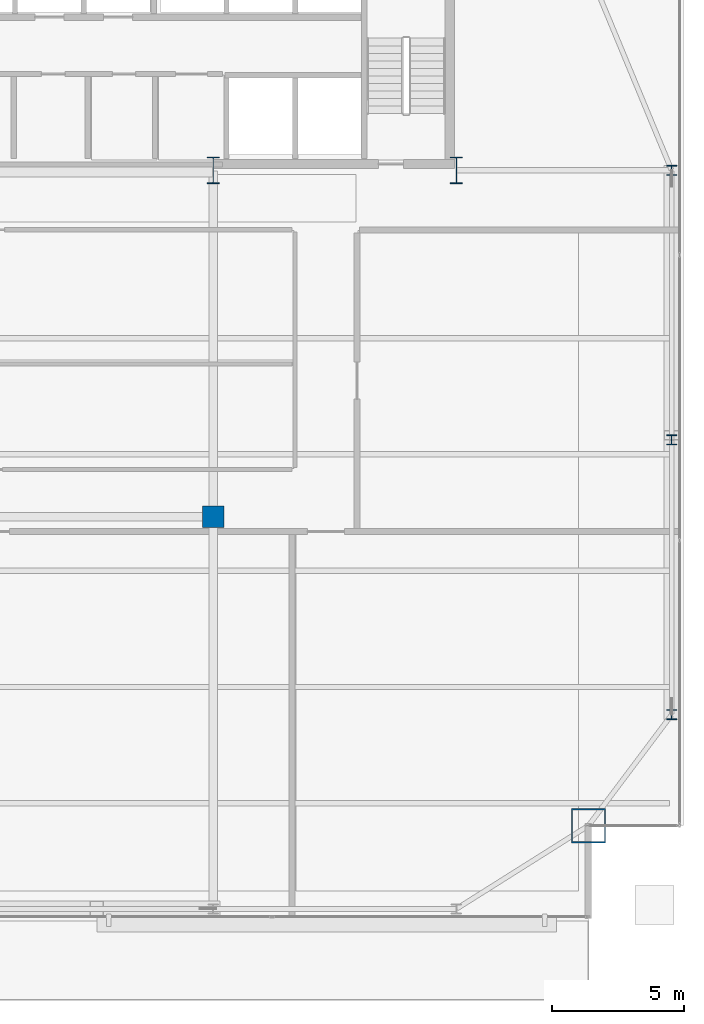
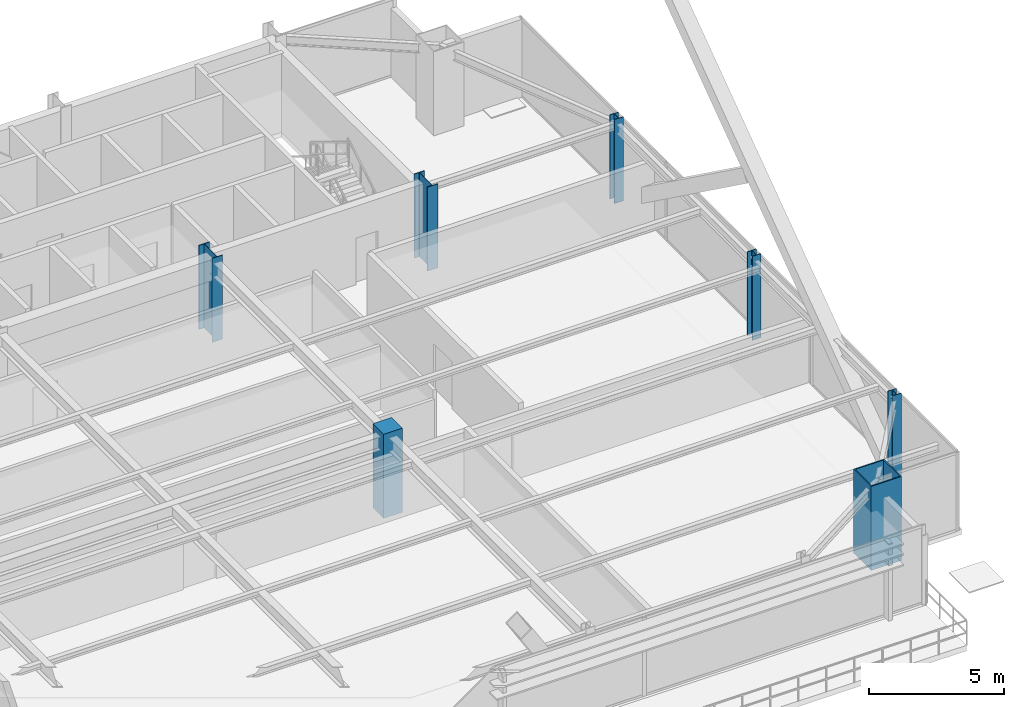
# One storey, part 2 of 33: 7 columns.
"""IFC4 building model written with IfcOpenShell, lengths in metres."""

import ifcopenshell
import ifcopenshell.guid

model = None  # the IFC model being written
_history = None  # IfcOwnerHistory: only IFC2X3 demands one
_inside = {}  # id of a spatial element -> (the spatial element, [elements in it])
_under = {}  # id of a project, library or spatial element -> (it, [spatial elements below it])
_declared = {}  # id of a project -> (the project, [libraries it declares])
_typed = {}  # id of a type object -> (the type object, [elements of that type])
_made_of = {}  # id of a material, layer set ... -> (it, [elements and type objects made of it])


def new_model(schema):
    """Start an empty IFC model of exactly this schema.

    Asked for "IFC4X3", IfcOpenShell would pick the latest addendum, in which some entities
    have other attributes; the version numbers below select the first issue.
    IFC2X3 requires an IfcOwnerHistory on every rooted entity: one is made here for all.
    """
    global model, _history
    if schema == "IFC4X3":
        model = ifcopenshell.file(schema_version=(4, 3, 0, 0))
    else:
        model = ifcopenshell.file(schema=schema)
    _inside.clear()
    _under.clear()
    _declared.clear()
    _typed.clear()
    _made_of.clear()
    _history = None
    if model.schema == "IFC2X3":
        org = make("IfcOrganization", Name="unknown")
        user = make(
            "IfcPersonAndOrganization",
            ThePerson=make("IfcPerson", FamilyName="unknown"),
            TheOrganization=org,
        )
        app = make(
            "IfcApplication",
            ApplicationDeveloper=org,
            Version="unknown",
            ApplicationFullName="unknown",
            ApplicationIdentifier="unknown",
        )
        _history = make(
            "IfcOwnerHistory",
            OwningUser=user,
            OwningApplication=app,
            ChangeAction="ADDED",
            CreationDate=0,
        )
    return model


def make(cls, **values):
    """One entity of the class cls with the attributes given. An attribute that is None is left unset."""
    return model.create_entity(
        cls, **{name: value for name, value in values.items() if value is not None}
    )


def rooted(cls, **values):
    """An entity with a GlobalId (a new one), such as an element, a storey or a relation."""
    return make(cls, GlobalId=ifcopenshell.guid.new(), OwnerHistory=_history, **values)


def si_unit(unit_type, name, prefix=None):
    """IfcSIUnit, for example si_unit("LENGTHUNIT", "METRE", prefix="MILLI")."""
    return make("IfcSIUnit", UnitType=unit_type, Prefix=prefix, Name=name)


def assignment(units):
    """IfcUnitAssignment: the units of a project."""
    return None if units is None else make("IfcUnitAssignment", Units=units)


def point(xyz):
    """IfcCartesianPoint."""
    return None if xyz is None else make("IfcCartesianPoint", Coordinates=xyz)


def direction(xyz):
    """IfcDirection."""
    return None if xyz is None else make("IfcDirection", DirectionRatios=xyz)


def frame(location, z_axis=None, x_axis=None):
    """IfcAxis2Placement3D, a coordinate frame: its origin and axes. An axis left out is left unset."""
    return make(
        "IfcAxis2Placement3D",
        Location=point(location),
        Axis=direction(z_axis),
        RefDirection=direction(x_axis),
    )


def frame_2d(location, x_axis=None):
    """IfcAxis2Placement2D, a coordinate frame in the plane: its origin and x axis."""
    return make(
        "IfcAxis2Placement2D", Location=point(location), RefDirection=direction(x_axis)
    )


def origin():
    """The frame at (0, 0, 0) with its axes left unset."""
    return frame((0.0, 0.0, 0.0))


def origin_2d():
    """The frame at (0, 0) in the plane with its x axis left unset."""
    return frame_2d((0.0, 0.0))


def place(relative_to, where):
    """IfcLocalPlacement: puts the frame where relative to a parent placement (None: the world)."""
    return make(
        "IfcLocalPlacement", PlacementRelTo=relative_to, RelativePlacement=where
    )


def context(
    kind, dimensions, precision=None, world=None, true_north=None, identifier=None
):
    """IfcGeometricRepresentationContext, for example the 3D "Model" context."""
    return make(
        "IfcGeometricRepresentationContext",
        ContextIdentifier=identifier,
        ContextType=kind,
        CoordinateSpaceDimension=dimensions,
        Precision=precision,
        WorldCoordinateSystem=world,
        TrueNorth=true_north,
    )


def subcontext(parent, identifier, kind, view, scale=None):
    """IfcGeometricRepresentationSubContext, for example "Body" below "Model"."""
    return make(
        "IfcGeometricRepresentationSubContext",
        ContextIdentifier=identifier,
        ContextType=kind,
        ParentContext=parent,
        TargetScale=scale,
        TargetView=view,
    )


def project(units=None, contexts=None):
    """IfcProject with its units and contexts."""
    return rooted(
        "IfcProject",
        Name="project",
        RepresentationContexts=contexts,
        UnitsInContext=assignment(units),
    )


def spatial(cls, under=None, at=None, **own):
    """A site, building, storey or space (cls), placed at a placement, below another one or the project."""
    s = rooted(cls, ObjectPlacement=at, **own)
    if under is not None:
        _under.setdefault(under.id(), (under, []))[1].append(s)
    return s


def profile(cls, at=None, kind="AREA", **sizes):
    """A parametric profile (cls). Its sizes go by their IFC names, for example OverallWidth=200.0."""
    return make(cls, ProfileType=kind, Position=at, **sizes)


def rectangle(**sizes):
    """IfcRectangleProfileDef."""
    return profile("IfcRectangleProfileDef", **sizes)


def hollow_rectangle(**sizes):
    """IfcRectangleHollowProfileDef."""
    return profile("IfcRectangleHollowProfileDef", **sizes)


def i_section(**sizes):
    """IfcIShapeProfileDef."""
    return profile("IfcIShapeProfileDef", **sizes)


def extrude(swept, where, along, depth):
    """IfcExtrudedAreaSolid: the profile swept, set in the frame where, extruded along a direction by depth."""
    return make(
        "IfcExtrudedAreaSolid",
        SweptArea=swept,
        Position=where,
        ExtrudedDirection=direction(along),
        Depth=depth,
    )


def shape(context_of_items, identifier, shape_type, items):
    """IfcShapeRepresentation: the items that make up one representation, for example the "Body"."""
    return make(
        "IfcShapeRepresentation",
        ContextOfItems=context_of_items,
        RepresentationIdentifier=identifier,
        RepresentationType=shape_type,
        Items=items,
    )


def source(mapping_origin, context_of_items, identifier, shape_type, items):
    """IfcRepresentationMap: a shape defined once, which mapped items show again and again."""
    return make(
        "IfcRepresentationMap",
        MappingOrigin=mapping_origin,
        MappedRepresentation=shape(context_of_items, identifier, shape_type, items),
    )


def transform(
    local_origin,
    x_axis=None,
    y_axis=None,
    z_axis=None,
    scale=None,
    scale2=None,
    scale3=None,
    uniform=True,
):
    """IfcCartesianTransformationOperator3D, or its non-uniform kind. x_axis, y_axis, z_axis: its Axis1, 2, 3."""
    if uniform:
        return make(
            "IfcCartesianTransformationOperator3D",
            Axis1=direction(x_axis),
            Axis2=direction(y_axis),
            LocalOrigin=point(local_origin),
            Scale=scale,
            Axis3=direction(z_axis),
        )
    return make(
        "IfcCartesianTransformationOperator3DnonUniform",
        Axis1=direction(x_axis),
        Axis2=direction(y_axis),
        LocalOrigin=point(local_origin),
        Scale=scale,
        Axis3=direction(z_axis),
        Scale2=scale2,
        Scale3=scale3,
    )


def mapped(mapping_source, mapping_target):
    """IfcMappedItem: shows the shape of a source again, moved by a transform."""
    return make(
        "IfcMappedItem", MappingSource=mapping_source, MappingTarget=mapping_target
    )


def material(Name=None, Category=None):
    """IfcMaterial."""
    return make("IfcMaterial", Name=Name, Category=Category)


def material_profile(
    of_material, cross_section, Name=None, Category=None, Priority=None
):
    """IfcMaterialProfile: a cross section and its material."""
    return make(
        "IfcMaterialProfile",
        Name=Name,
        Material=of_material,
        Profile=cross_section,
        Priority=Priority,
        Category=Category,
    )


def profile_set(profiles, Name=None, composite=None):
    """IfcMaterialProfileSet."""
    return make(
        "IfcMaterialProfileSet",
        Name=Name,
        MaterialProfiles=profiles,
        CompositeProfile=composite,
    )


def made_of(thing, what):
    """Note that an element or type object is made of a material, layer set ...; save() writes the relation."""
    if what is not None:
        _made_of.setdefault(what.id(), (what, []))[1].append(thing)
    return thing


def type_object(cls, material=None, **own):
    """A type object (cls), such as IfcWallType, which elements share."""
    return made_of(rooted(cls, **own), material)


def type_shapes(of_type, sources):
    """Give a type object the sources (RepresentationMaps) that its elements show as mapped items."""
    of_type.RepresentationMaps = sources


def element(
    cls,
    number,
    at=None,
    inside=None,
    cuts=None,
    type_object=None,
    material=None,
    context=None,
    identifier="Body",
    shape_type=None,
    held_by="IfcProductDefinitionShape",
    body=None,
    shapes=None,
    **own,
):
    """One element of the class cls, such as IfcWall. Its Tag is "e" and its number.

    at: its placement. inside: the storey or other place that contains it. cuts: it is an
    opening in that element (IfcRelVoidsElement). A single representation is given by context,
    identifier, shape_type and body (its items); several are given by shapes. held_by: the class
    of the entity that holds the representations. save() writes the other relations.
    """
    e = rooted(cls, Tag="e%d" % number, ObjectPlacement=at, **own)
    if body is not None:
        shapes = [shape(context, identifier, shape_type, body)]
    if shapes is not None:
        e.Representation = make(held_by, Representations=shapes)
    if inside is not None:
        _inside.setdefault(inside.id(), (inside, []))[1].append(e)
    if cuts is not None:
        rooted(
            "IfcRelVoidsElement", RelatingBuildingElement=cuts, RelatedOpeningElement=e
        )
    if type_object is not None:
        _typed.setdefault(type_object.id(), (type_object, []))[1].append(e)
    return made_of(e, material)


def aggregate(whole, parts):
    """IfcRelAggregates: a whole, such as a stair, and the parts it consists of."""
    return rooted("IfcRelAggregates", RelatingObject=whole, RelatedObjects=parts)


def save(model, path):
    """Write the relations noted so far, then the file.

    IfcRelAggregates (storeys below a building ...), IfcRelContainedInSpatialStructure (elements
    in a storey), IfcRelDefinesByType, IfcRelAssociatesMaterial and IfcRelDeclares: one each for
    every whole, place, type object, material and project.
    """
    for whole, parts in _under.values():
        aggregate(whole, parts)
    for where, things in _inside.values():
        rooted(
            "IfcRelContainedInSpatialStructure",
            RelatedElements=things,
            RelatingStructure=where,
        )
    for kind, things in _typed.values():
        rooted("IfcRelDefinesByType", RelatedObjects=things, RelatingType=kind)
    for what, things in _made_of.values():
        rooted("IfcRelAssociatesMaterial", RelatedObjects=things, RelatingMaterial=what)
    for by, libraries in _declared.values():
        rooted("IfcRelDeclares", RelatingContext=by, RelatedDefinitions=libraries)
    model.write(path)


model = new_model("IFC4")

# Units and contexts
model_context = context("Model", 3, precision=1e-05, world=origin(), true_north=direction((0.0, 1.0)))
body_context = subcontext(model_context, "Body", "Model", "MODEL_VIEW")
ifc_project = project(units=[si_unit("LENGTHUNIT", "METRE"), si_unit("AREAUNIT", "SQUARE_METRE"), si_unit("VOLUMEUNIT", "CUBIC_METRE"), si_unit("PLANEANGLEUNIT", "RADIAN"), si_unit("MASSUNIT", "GRAM", prefix="KILO")], contexts=[model_context])

# Site, building, storey
site_placement = place(None, origin())
site = spatial("IfcSite", under=ifc_project, at=site_placement, CompositionType="ELEMENT")
building_placement = place(site_placement, origin())
building = spatial("IfcBuilding", under=site, at=building_placement, Name="Varnel Quay Broadcast Tower", CompositionType="ELEMENT")
storey_placement = place(building_placement, frame((0.0, 0.0, 145.800048828125)))
storey = spatial("IfcBuildingStorey", under=building, at=storey_placement, Name="L35", CompositionType="ELEMENT", Elevation=145.800048828125)

# Columns
ifc_material_1 = material(Name="Structural Steel CSA G40.21 350WT", Category="steel")
ifc_material_profile_1 = material_profile(ifc_material_1, i_section(OverallWidth=0.449951171875, OverallDepth=1.0, WebThickness=0.01611328125, FlangeThickness=0.030029296875, FilletRadius=0.01611328125, at=origin_2d()), Name="WWF1000X362")
ifc_profile_set_1 = profile_set([ifc_material_profile_1], Name="Structural Steel CSA G40.21 350WT")
column_type_1 = type_object("IfcColumnType", Name="Col_WWF1000X362", PredefinedType="COLUMN", material=ifc_profile_set_1)
shared_shape_1 = source(origin(), body_context, "Body", "SweptSolid", [
    extrude(i_section(OverallWidth=0.449951171875, OverallDepth=1.0, WebThickness=0.01611328125, FlangeThickness=0.030029296875, FilletRadius=0.01611328125, at=origin_2d()), origin(), (0.0, 0.0, 1.0), 3.800048828125),
])
type_shapes(column_type_1, [shared_shape_1])
for number, where, z_axis, x_axis, name in (
    (1, (43.199951171875, 35.60009765625, 0.0), (0.0, 0.0, 1.0), (1.0, 0.0, 0.0), "L35 Column CC-S4"),
    (2, (52.39990234375, 35.60009765625, 0.0), (0.0, 0.0, 1.0), (1.0, 0.0, 0.0), "L35 Column CC-S5"),
):
    element("IfcColumn", number, at=place(storey_placement, frame(where, z_axis=z_axis, x_axis=x_axis)), inside=storey, type_object=column_type_1, Name=name, PredefinedType="COLUMN", context=body_context, shape_type="MappedRepresentation", body=[
        mapped(shared_shape_1, transform((0.0, 0.0, 0.0), x_axis=(1.0, 0.0, 0.0), y_axis=(0.0, 1.0, 0.0), z_axis=(0.0, 0.0, 1.0), scale=1.0)),
    ])
ifc_material_profile_2 = material_profile(ifc_material_1, hollow_rectangle(XDim=1.300048828125, YDim=1.300048828125, WallThickness=0.050048828125, at=origin_2d()), Name="BOX1300X1300X50")
ifc_profile_set_2 = profile_set([ifc_material_profile_2], Name="Structural Steel CSA G40.21 350WT")
column_type_2 = type_object("IfcColumnType", Name="Col_BOX1300X1300X50", PredefinedType="COLUMN", material=ifc_profile_set_2)
shared_shape_2 = source(origin(), body_context, "Body", "SweptSolid", [
    extrude(hollow_rectangle(XDim=1.300048828125, YDim=1.300048828125, WallThickness=0.050048828125, at=origin_2d()), origin(), (0.0, 0.0, 1.0), 3.800048828125),
])
type_shapes(column_type_2, [shared_shape_2])
column_1_placement = place(storey_placement, frame((57.39990234375, 10.800048828125, 0.0), z_axis=(0.0, 0.0, 1.0), x_axis=(1.0, 0.0, 0.0)))
element("IfcColumn", 3, at=column_1_placement, inside=storey, type_object=column_type_2, Name="L35 Column MC-SE", PredefinedType="COLUMN", context=body_context, shape_type="MappedRepresentation", body=[
    mapped(shared_shape_2, transform((0.0, 0.0, 0.0), x_axis=(1.0, 0.0, 0.0), y_axis=(0.0, 1.0, 0.0), z_axis=(0.0, 0.0, 1.0), scale=1.0)),
])
ifc_material_2 = material(Name="Structural Steel CSA G40.21 350W", Category="steel")
ifc_material_profile_3 = material_profile(ifc_material_2, i_section(OverallWidth=0.3740234375, OverallDepth=0.3720703125, WebThickness=0.016357421875, FlangeThickness=0.026123046875, FilletRadius=0.01611328125, at=origin_2d()), Name="W360X196")
ifc_profile_set_3 = profile_set([ifc_material_profile_3], Name="Structural Steel CSA G40.21 350W")
column_type_3 = type_object("IfcColumnType", Name="Col_W360X196", PredefinedType="COLUMN", material=ifc_profile_set_3)
shared_shape_3 = source(origin(), body_context, "Body", "SweptSolid", [
    extrude(i_section(OverallWidth=0.3740234375, OverallDepth=0.3720703125, WebThickness=0.016357421875, FlangeThickness=0.026123046875, FilletRadius=0.01611328125, at=origin_2d()), origin(), (0.0, 0.0, 1.0), 3.800048828125),
])
type_shapes(column_type_3, [shared_shape_3])
for number, where, z_axis, x_axis, name in (
    (4, (60.550048828125, 15.0, 0.0), (0.0, 0.0, 1.0), (1.0, 0.0, 0.0), "L35 Column TC-E1"),
    (5, (60.550048828125, 25.39990234375, 0.0), (0.0, 0.0, 1.0), (1.0, 0.0, 0.0), "L35 Column TC-E2"),
    (6, (60.550048828125, 35.60009765625, 0.0), (0.0, 0.0, 1.0), (1.0, 0.0, 0.0), "L35 Column TC-E3"),
):
    element("IfcColumn", number, at=place(storey_placement, frame(where, z_axis=z_axis, x_axis=x_axis)), inside=storey, type_object=column_type_3, Name=name, PredefinedType="COLUMN", context=body_context, shape_type="MappedRepresentation", body=[
        mapped(shared_shape_3, transform((0.0, 0.0, 0.0), x_axis=(1.0, 0.0, 0.0), y_axis=(0.0, 1.0, 0.0), z_axis=(0.0, 0.0, 1.0), scale=1.0)),
    ])
ifc_material_3 = material(Name="Concrete CSA A23.3 C50/60", Category="concrete")
ifc_material_profile_4 = material_profile(ifc_material_3, rectangle(XDim=0.800048828125, YDim=0.800048828125, at=origin_2d()), Name="RC800X800")
ifc_profile_set_4 = profile_set([ifc_material_profile_4], Name="Concrete CSA A23.3 C50/60")
column_type_4 = type_object("IfcColumnType", Name="Col_RC800X800", PredefinedType="COLUMN", material=ifc_profile_set_4)
shared_shape_4 = source(origin(), body_context, "Body", "SweptSolid", [
    extrude(rectangle(XDim=0.800048828125, YDim=0.800048828125, at=origin_2d()), origin(), (0.0, 0.0, 1.0), 3.800048828125),
])
type_shapes(column_type_4, [shared_shape_4])
column_2_placement = place(storey_placement, frame((43.199951171875, 22.489990234375, 0.0), z_axis=(0.0, 0.0, 1.0), x_axis=(1.0, 0.0, 0.0)))
element("IfcColumn", 7, at=column_2_placement, inside=storey, type_object=column_type_4, Name="L35 Column IC-02", PredefinedType="COLUMN", context=body_context, shape_type="MappedRepresentation", body=[
    mapped(shared_shape_4, transform((0.0, 0.0, 0.0), x_axis=(1.0, 0.0, 0.0), y_axis=(0.0, 1.0, 0.0), z_axis=(0.0, 0.0, 1.0), scale=1.0)),
])

save(model, "model.ifc")
